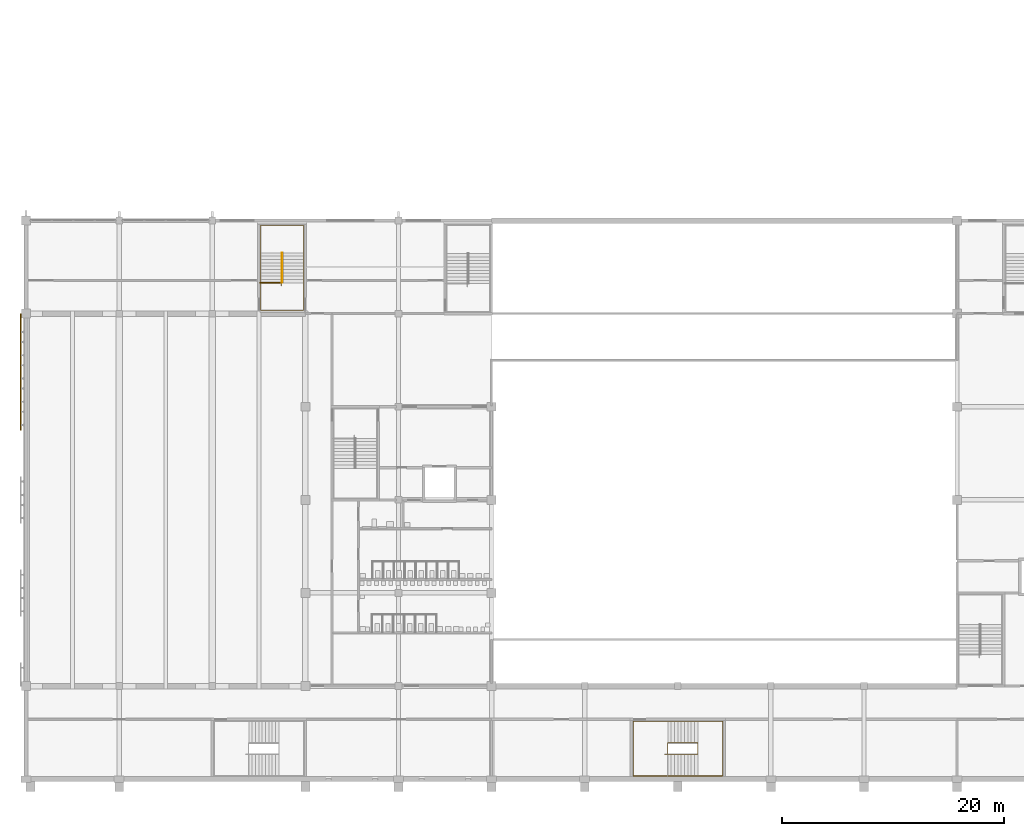
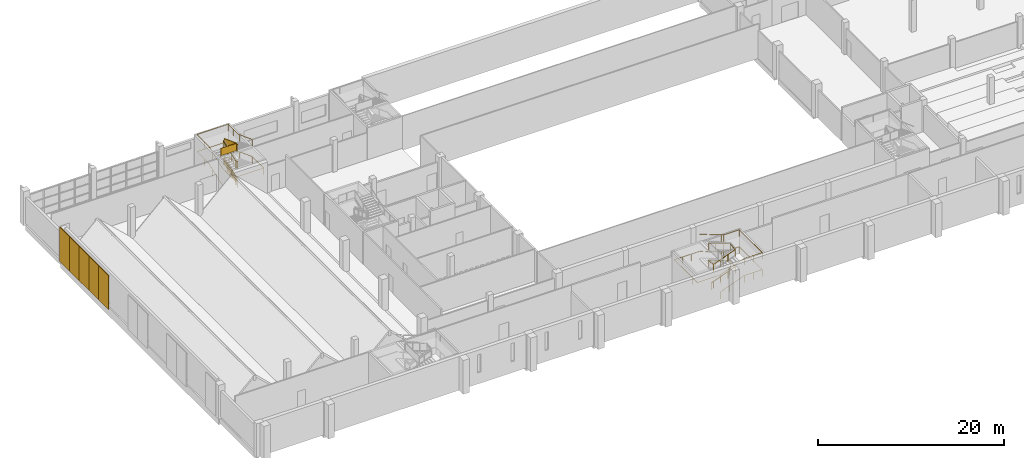
# One storey, part 46 of 56: 6 railings, 5 shading devices.
"""IFC4 building model written with IfcOpenShell, lengths in metres."""

from ifc_helpers import new_model, si_unit, direction, frame, origin, origin_2d, place, context, subcontext, project, spatial, polyline, rectangle, circle, outline, extrude, material, layer, layer_set, type_object, element, save


model = new_model("IFC4")

# Units and contexts
model_context = context("Model", 3, precision=1e-05, world=origin(), true_north=direction((0.0, 1.0)))
body_context = subcontext(model_context, "Body", "Model", "MODEL_VIEW")
ifc_project = project(units=[si_unit("LENGTHUNIT", "METRE"), si_unit("AREAUNIT", "SQUARE_METRE"), si_unit("VOLUMEUNIT", "CUBIC_METRE"), si_unit("PLANEANGLEUNIT", "RADIAN"), si_unit("MASSUNIT", "GRAM", prefix="KILO")], contexts=[model_context])

# Site, building, storey
site_placement = place(None, origin())
site = spatial("IfcSite", under=ifc_project, at=site_placement, CompositionType="ELEMENT")
building_placement = place(site_placement, origin())
building = spatial("IfcBuilding", under=site, at=building_placement, Name="Rulbaag Community and Learning Centre", CompositionType="ELEMENT")
storey_placement = place(building_placement, frame((0.0, 0.0, 9.89990234375)))
storey = spatial("IfcBuildingStorey", under=building, at=storey_placement, Name="L02", CompositionType="ELEMENT", Elevation=9.89990234375)

# Railings
ifc_material_1 = material(Name="Galvanised mild steel", Category="steel")
railing_type_1 = type_object("IfcRailingType", Name="GR-1100 GUARD 1100", PredefinedType="GUARDRAIL", material=ifc_material_1)
railing_1_placement = place(storey_placement, frame((23.080078125, 44.78759765625, 0.112548828125)))
element("IfcRailing", 1, at=railing_1_placement, inside=storey, type_object=railing_type_1, Name="Guard SH0 L02 G", PredefinedType="GUARDRAIL", context=body_context, shape_type="SweptSolid", body=[
    extrude(circle(Radius=0.02490234375, at=origin_2d()), frame((0.0, 0.0, 1.0751953125), z_axis=(0.0, 0.93633265699, 0.351114162993), x_axis=(-1.0, 0.0, 0.0)), (0.0, 0.0, 1.0), 2.883544921875),
    extrude(circle(Radius=0.02001953125, at=origin_2d()), origin(), (0.0, 0.0, 1.0), 1.050048828125),
    extrude(circle(Radius=0.02001953125, at=origin_2d()), frame((0.0, 0.89990234375, 0.33740234375)), (0.0, 0.0, 1.0), 1.050048828125),
    extrude(circle(Radius=0.02001953125, at=origin_2d()), frame((0.0, 1.800048828125, 0.675048828125)), (0.0, 0.0, 1.0), 1.050048828125),
    extrude(circle(Radius=0.02001953125, at=origin_2d()), frame((0.0, 2.699951171875, 1.012451171875)), (0.0, 0.0, 1.0), 1.050048828125),
    extrude(outline(polyline([(0.0, 0.0), (2.699951171875, 1.012451171875), (2.699951171875, 1.96240234375), (0.0, 0.949951171875), (0.0, 0.0)])), frame((-0.0048828125, 0.0, 0.10009765625), z_axis=(1.0, 0.0, 0.0), x_axis=(0.0, 1.0, 0.0)), (0.0, 0.0, 1.0), 0.010009765625),
])
railing_2_placement = place(storey_placement, frame((23.1201171875, 47.487548828125, 3.487548828125)))
element("IfcRailing", 2, at=railing_2_placement, inside=storey, type_object=railing_type_1, Name="Guard SH0 L02 G4", PredefinedType="GUARDRAIL", context=body_context, shape_type="SweptSolid", body=[
    extrude(circle(Radius=0.02490234375, at=origin_2d()), frame((0.0, 0.0, 1.0751953125), z_axis=(0.0, -0.93633265699, 0.351114162993), x_axis=(1.0, 0.0, 0.0)), (0.0, 0.0, 1.0), 2.883544921875),
    extrude(circle(Radius=0.02490234375, at=origin_2d()), frame((0.0, -2.699951171875, 2.08740234375), z_axis=(-1.0, 0.0, 0.0), x_axis=(0.0, -1.0, 0.0)), (0.0, 0.0, 1.0), 2.02001953125),
    extrude(circle(Radius=0.02001953125, at=origin_2d()), origin(), (0.0, 0.0, 1.0), 1.050048828125),
    extrude(circle(Radius=0.02001953125, at=origin_2d()), frame((0.0, -0.89990234375, 0.33740234375)), (0.0, 0.0, 1.0), 1.050048828125),
    extrude(circle(Radius=0.02001953125, at=origin_2d()), frame((0.0, -1.800048828125, 0.675048828125)), (0.0, 0.0, 1.0), 1.050048828125),
    extrude(circle(Radius=0.02001953125, at=origin_2d()), frame((0.0, -2.699951171875, 1.012451171875)), (0.0, 0.0, 1.0), 1.050048828125),
    extrude(circle(Radius=0.02001953125, at=origin_2d()), frame((-1.010009765625, -2.699951171875, 1.012451171875)), (0.0, 0.0, 1.0), 1.050048828125),
    extrude(circle(Radius=0.02001953125, at=origin_2d()), frame((-2.02001953125, -2.699951171875, 1.012451171875)), (0.0, 0.0, 1.0), 1.050048828125),
    extrude(outline(polyline([(0.0, 0.0), (2.699951171875, 1.012451171875), (2.699951171875, 1.96240234375), (0.0, 0.949951171875), (0.0, 0.0)])), frame((0.0048828125, 0.0, 0.10009765625), z_axis=(-1.0, 0.0, 0.0), x_axis=(0.0, -1.0, 0.0)), (0.0, 0.0, 1.0), 0.010009765625),
    extrude(outline(polyline([(0.0, 0.0), (2.02001953125, 0.0), (2.02001953125, 0.949951171875), (0.0, 0.949951171875), (0.0, 0.0)])), frame((0.0, -2.705078125, 1.112548828125), z_axis=(0.0, 1.0, 0.0), x_axis=(-1.0, 0.0, 0.0)), (0.0, 0.0, 1.0), 0.010009765625),
])
ifc_material_2 = material(Name="Stainless steel grade 316", Category="steel")
railing_type_2 = type_object("IfcRailingType", Name="HR-900 HANDRAIL 900", PredefinedType="HANDRAIL", material=ifc_material_2)
railing_3_placement = place(storey_placement, frame((21.159912109375, 44.487548828125, 0.0)))
element("IfcRailing", 3, at=railing_3_placement, inside=storey, type_object=railing_type_2, Name="Handrail SH0 L02 O", PredefinedType="HANDRAIL", context=body_context, shape_type="SweptSolid", body=[
    extrude(circle(Radius=0.024169921875, at=origin_2d()), frame((0.0, 0.0, 0.875732421875), z_axis=(0.0, 0.936297865471, 0.351206929196), x_axis=(-1.0, 0.0, 0.0)), (0.0, 0.0, 1.0), 0.320556640625),
    extrude(circle(Radius=0.024169921875, at=origin_2d()), frame((0.0, 0.300048828125, 0.98828125), z_axis=(0.0, 0.93633265699, 0.351114162993), x_axis=(-1.0, 0.0, 0.0)), (0.0, 0.0, 1.0), 2.883544921875),
    extrude(circle(Radius=0.024169921875, at=origin_2d()), frame((0.0, 3.0, 2.000732421875), z_axis=(0.0, 1.0, 0.0), x_axis=(-1.0, 0.0, 0.0)), (0.0, 0.0, 1.0), 2.4775390625),
    extrude(circle(Radius=0.024169921875, at=origin_2d()), frame((0.0, 5.4775390625, 2.000732421875), z_axis=(1.0, 0.0, 0.0), x_axis=(0.0, 1.0, 0.0)), (0.0, 0.0, 1.0), 3.880126953125),
    extrude(circle(Radius=0.024169921875, at=origin_2d()), frame((3.880126953125, 5.4775390625, 2.000732421875), z_axis=(0.0, -1.0, 0.0), x_axis=(1.0, 0.0, 0.0)), (0.0, 0.0, 1.0), 2.177490234375),
    extrude(circle(Radius=0.024169921875, at=origin_2d()), frame((3.880126953125, 3.300048828125, 2.000732421875), z_axis=(0.0, -0.936297865471, 0.351206929196), x_axis=(1.0, 0.0, 0.0)), (0.0, 0.0, 1.0), 0.320556640625),
    extrude(circle(Radius=0.024169921875, at=origin_2d()), frame((3.880126953125, 3.0, 2.11328125), z_axis=(0.0, -0.93633265699, 0.351114162993), x_axis=(1.0, 0.0, 0.0)), (0.0, 0.0, 1.0), 2.883544921875),
    extrude(circle(Radius=0.024169921875, at=origin_2d()), frame((3.880126953125, 0.300048828125, 3.125732421875), z_axis=(0.0, -1.0, 0.0), x_axis=(1.0, 0.0, 0.0)), (0.0, 0.0, 1.0), 2.4775390625),
    extrude(circle(Radius=0.024169921875, at=origin_2d()), frame((3.880126953125, -2.177490234375, 3.125732421875), z_axis=(-1.0, 0.0, 0.0), x_axis=(0.0, -1.0, 0.0)), (0.0, 0.0, 1.0), 3.880126953125),
    extrude(circle(Radius=0.024169921875, at=origin_2d()), frame((0.0, -2.177490234375, 3.125732421875), z_axis=(0.0, 1.0, 0.0), x_axis=(-1.0, 0.0, 0.0)), (0.0, 0.0, 1.0), 2.177490234375),
    extrude(circle(Radius=0.024169921875, at=origin_2d()), frame((0.0, 0.0, 3.125732421875), z_axis=(0.0, 0.936297865471, 0.351206929196), x_axis=(-1.0, 0.0, 0.0)), (0.0, 0.0, 1.0), 0.320556640625),
    extrude(circle(Radius=0.024169921875, at=origin_2d()), frame((0.0, 0.300048828125, 3.23828125), z_axis=(0.0, 0.93633265699, 0.351114162993), x_axis=(-1.0, 0.0, 0.0)), (0.0, 0.0, 1.0), 2.883544921875),
    extrude(circle(Radius=0.024169921875, at=origin_2d()), frame((0.0, 3.0, 4.250732421875), z_axis=(0.0, 1.0, 0.0), x_axis=(-1.0, 0.0, 0.0)), (0.0, 0.0, 1.0), 2.4775390625),
    extrude(circle(Radius=0.024169921875, at=origin_2d()), frame((0.0, 5.4775390625, 4.250732421875), z_axis=(1.0, 0.0, 0.0), x_axis=(0.0, 1.0, 0.0)), (0.0, 0.0, 1.0), 3.880126953125),
    extrude(circle(Radius=0.024169921875, at=origin_2d()), frame((3.880126953125, 5.4775390625, 4.250732421875), z_axis=(0.0, -1.0, 0.0), x_axis=(1.0, 0.0, 0.0)), (0.0, 0.0, 1.0), 2.177490234375),
    extrude(circle(Radius=0.024169921875, at=origin_2d()), frame((3.880126953125, 3.300048828125, 4.250732421875), z_axis=(0.0, -0.936297865471, 0.351206929196), x_axis=(1.0, 0.0, 0.0)), (0.0, 0.0, 1.0), 0.320556640625),
    extrude(circle(Radius=0.024169921875, at=origin_2d()), frame((3.880126953125, 3.0, 4.36328125), z_axis=(0.0, -0.93633265699, 0.351114162993), x_axis=(1.0, 0.0, 0.0)), (0.0, 0.0, 1.0), 2.883544921875),
    extrude(circle(Radius=0.008056640625, at=origin_2d()), origin(), (0.0, 0.0, 1.0), 0.8515625),
    extrude(circle(Radius=0.008056640625, at=origin_2d()), frame((0.0, 0.300048828125, 0.112548828125)), (0.0, 0.0, 1.0), 0.8515625),
    extrude(circle(Radius=0.008056640625, at=origin_2d()), frame((0.0, 1.199951171875, 0.449951171875)), (0.0, 0.0, 1.0), 0.8515625),
    extrude(circle(Radius=0.008056640625, at=origin_2d()), frame((0.0, 2.10009765625, 0.78759765625)), (0.0, 0.0, 1.0), 0.8515625),
    extrude(circle(Radius=0.008056640625, at=origin_2d()), frame((0.0, 3.0, 1.125)), (0.0, 0.0, 1.0), 0.8515625),
    extrude(circle(Radius=0.008056640625, at=origin_2d()), frame((0.0, 3.825927734375, 1.125)), (0.0, 0.0, 1.0), 0.8515625),
    extrude(circle(Radius=0.008056640625, at=origin_2d()), frame((0.0, 4.651611328125, 1.125)), (0.0, 0.0, 1.0), 0.8515625),
    extrude(circle(Radius=0.008056640625, at=origin_2d()), frame((0.0, 5.4775390625, 1.125)), (0.0, 0.0, 1.0), 0.8515625),
    extrude(circle(Radius=0.008056640625, at=origin_2d()), frame((0.969970703125, 5.4775390625, 1.125)), (0.0, 0.0, 1.0), 0.8515625),
    extrude(circle(Radius=0.008056640625, at=origin_2d()), frame((1.93994140625, 5.4775390625, 1.125)), (0.0, 0.0, 1.0), 0.8515625),
    extrude(circle(Radius=0.008056640625, at=origin_2d()), frame((2.91015625, 5.4775390625, 1.125)), (0.0, 0.0, 1.0), 0.8515625),
    extrude(circle(Radius=0.008056640625, at=origin_2d()), frame((3.880126953125, 5.4775390625, 1.125)), (0.0, 0.0, 1.0), 0.8515625),
    extrude(circle(Radius=0.008056640625, at=origin_2d()), frame((3.880126953125, 4.388671875, 1.125)), (0.0, 0.0, 1.0), 0.8515625),
    extrude(circle(Radius=0.008056640625, at=origin_2d()), frame((3.880126953125, 3.300048828125, 1.125)), (0.0, 0.0, 1.0), 0.8515625),
    extrude(circle(Radius=0.008056640625, at=origin_2d()), frame((3.880126953125, 3.0, 1.237548828125)), (0.0, 0.0, 1.0), 0.8515625),
    extrude(circle(Radius=0.008056640625, at=origin_2d()), frame((3.880126953125, 2.10009765625, 1.574951171875)), (0.0, 0.0, 1.0), 0.8515625),
    extrude(circle(Radius=0.008056640625, at=origin_2d()), frame((3.880126953125, 1.199951171875, 1.91259765625)), (0.0, 0.0, 1.0), 0.8515625),
    extrude(circle(Radius=0.008056640625, at=origin_2d()), frame((3.880126953125, 0.300048828125, 2.25)), (0.0, 0.0, 1.0), 0.8515625),
    extrude(circle(Radius=0.008056640625, at=origin_2d()), frame((3.880126953125, -0.52587890625, 2.25)), (0.0, 0.0, 1.0), 0.8515625),
    extrude(circle(Radius=0.008056640625, at=origin_2d()), frame((3.880126953125, -1.3515625, 2.25)), (0.0, 0.0, 1.0), 0.8515625),
    extrude(circle(Radius=0.008056640625, at=origin_2d()), frame((3.880126953125, -2.177490234375, 2.25)), (0.0, 0.0, 1.0), 0.8515625),
    extrude(circle(Radius=0.008056640625, at=origin_2d()), frame((2.91015625, -2.177490234375, 2.25)), (0.0, 0.0, 1.0), 0.8515625),
    extrude(circle(Radius=0.008056640625, at=origin_2d()), frame((1.93994140625, -2.177490234375, 2.25)), (0.0, 0.0, 1.0), 0.8515625),
    extrude(circle(Radius=0.008056640625, at=origin_2d()), frame((0.969970703125, -2.177490234375, 2.25)), (0.0, 0.0, 1.0), 0.8515625),
    extrude(circle(Radius=0.008056640625, at=origin_2d()), frame((0.0, -2.177490234375, 2.25)), (0.0, 0.0, 1.0), 0.8515625),
    extrude(circle(Radius=0.008056640625, at=origin_2d()), frame((0.0, -1.0888671875, 2.25)), (0.0, 0.0, 1.0), 0.8515625),
    extrude(circle(Radius=0.008056640625, at=origin_2d()), frame((0.0, 0.0, 2.25)), (0.0, 0.0, 1.0), 0.8515625),
    extrude(circle(Radius=0.008056640625, at=origin_2d()), frame((0.0, 0.300048828125, 2.362548828125)), (0.0, 0.0, 1.0), 0.8515625),
    extrude(circle(Radius=0.008056640625, at=origin_2d()), frame((0.0, 1.199951171875, 2.699951171875)), (0.0, 0.0, 1.0), 0.8515625),
    extrude(circle(Radius=0.008056640625, at=origin_2d()), frame((0.0, 2.10009765625, 3.03759765625)), (0.0, 0.0, 1.0), 0.8515625),
    extrude(circle(Radius=0.008056640625, at=origin_2d()), frame((0.0, 3.0, 3.375)), (0.0, 0.0, 1.0), 0.8515625),
    extrude(circle(Radius=0.008056640625, at=origin_2d()), frame((0.0, 3.825927734375, 3.375)), (0.0, 0.0, 1.0), 0.8515625),
    extrude(circle(Radius=0.008056640625, at=origin_2d()), frame((0.0, 4.651611328125, 3.375)), (0.0, 0.0, 1.0), 0.8515625),
    extrude(circle(Radius=0.008056640625, at=origin_2d()), frame((0.0, 5.4775390625, 3.375)), (0.0, 0.0, 1.0), 0.8515625),
    extrude(circle(Radius=0.008056640625, at=origin_2d()), frame((0.969970703125, 5.4775390625, 3.375)), (0.0, 0.0, 1.0), 0.8515625),
    extrude(circle(Radius=0.008056640625, at=origin_2d()), frame((1.93994140625, 5.4775390625, 3.375)), (0.0, 0.0, 1.0), 0.8515625),
    extrude(circle(Radius=0.008056640625, at=origin_2d()), frame((2.91015625, 5.4775390625, 3.375)), (0.0, 0.0, 1.0), 0.8515625),
    extrude(circle(Radius=0.008056640625, at=origin_2d()), frame((3.880126953125, 5.4775390625, 3.375)), (0.0, 0.0, 1.0), 0.8515625),
    extrude(circle(Radius=0.008056640625, at=origin_2d()), frame((3.880126953125, 4.388671875, 3.375)), (0.0, 0.0, 1.0), 0.8515625),
    extrude(circle(Radius=0.008056640625, at=origin_2d()), frame((3.880126953125, 3.300048828125, 3.375)), (0.0, 0.0, 1.0), 0.8515625),
    extrude(circle(Radius=0.008056640625, at=origin_2d()), frame((3.880126953125, 3.0, 3.487548828125)), (0.0, 0.0, 1.0), 0.8515625),
    extrude(circle(Radius=0.008056640625, at=origin_2d()), frame((3.880126953125, 2.10009765625, 3.824951171875)), (0.0, 0.0, 1.0), 0.8515625),
    extrude(circle(Radius=0.008056640625, at=origin_2d()), frame((3.880126953125, 1.199951171875, 4.16259765625)), (0.0, 0.0, 1.0), 0.8515625),
    extrude(circle(Radius=0.008056640625, at=origin_2d()), frame((3.880126953125, 0.300048828125, 4.5)), (0.0, 0.0, 1.0), 0.8515625),
])
railing_4_placement = place(storey_placement, frame((23.010009765625, 44.487548828125, 0.0)))
element("IfcRailing", 4, at=railing_4_placement, inside=storey, type_object=railing_type_2, Name="Handrail SH0 L02 I", PredefinedType="HANDRAIL", context=body_context, shape_type="SweptSolid", body=[
    extrude(circle(Radius=0.024169921875, at=origin_2d()), frame((0.0, 0.0, 0.875732421875), z_axis=(0.0, 0.936297865471, 0.351206929196), x_axis=(-1.0, 0.0, 0.0)), (0.0, 0.0, 1.0), 0.320556640625),
    extrude(circle(Radius=0.024169921875, at=origin_2d()), frame((0.0, 0.300048828125, 0.98828125), z_axis=(0.0, 0.93633265699, 0.351114162993), x_axis=(-1.0, 0.0, 0.0)), (0.0, 0.0, 1.0), 2.883544921875),
    extrude(circle(Radius=0.024169921875, at=origin_2d()), frame((0.0, 3.0, 2.000732421875), z_axis=(0.847804368873, 0.0, 0.530309109973), x_axis=(0.0, 1.0, 0.0)), (0.0, 0.0, 1.0), 0.212158203125),
    extrude(circle(Radius=0.024169921875, at=origin_2d()), frame((0.179931640625, 3.0, 2.11328125), z_axis=(0.0, -0.93633265699, 0.351114162993), x_axis=(1.0, 0.0, 0.0)), (0.0, 0.0, 1.0), 2.883544921875),
    extrude(circle(Radius=0.024169921875, at=origin_2d()), frame((0.179931640625, 0.300048828125, 3.125732421875), z_axis=(-0.847804368873, 0.0, 0.530309109973), x_axis=(0.0, -1.0, 0.0)), (0.0, 0.0, 1.0), 0.212158203125),
    extrude(circle(Radius=0.024169921875, at=origin_2d()), frame((0.0, 0.300048828125, 3.23828125), z_axis=(0.0, 0.93633265699, 0.351114162993), x_axis=(-1.0, 0.0, 0.0)), (0.0, 0.0, 1.0), 2.883544921875),
    extrude(circle(Radius=0.024169921875, at=origin_2d()), frame((0.0, 3.0, 4.250732421875), z_axis=(0.847804368873, 0.0, 0.530309109973), x_axis=(0.0, 1.0, 0.0)), (0.0, 0.0, 1.0), 0.212158203125),
    extrude(circle(Radius=0.024169921875, at=origin_2d()), frame((0.179931640625, 3.0, 4.36328125), z_axis=(0.0, -0.93633265699, 0.351114162993), x_axis=(1.0, 0.0, 0.0)), (0.0, 0.0, 1.0), 2.883544921875),
    extrude(circle(Radius=0.008056640625, at=origin_2d()), origin(), (0.0, 0.0, 1.0), 0.8515625),
    extrude(circle(Radius=0.008056640625, at=origin_2d()), frame((0.0, 0.300048828125, 0.112548828125)), (0.0, 0.0, 1.0), 0.8515625),
    extrude(circle(Radius=0.008056640625, at=origin_2d()), frame((0.0, 1.199951171875, 0.449951171875)), (0.0, 0.0, 1.0), 0.8515625),
    extrude(circle(Radius=0.008056640625, at=origin_2d()), frame((0.0, 2.10009765625, 0.78759765625)), (0.0, 0.0, 1.0), 0.8515625),
    extrude(circle(Radius=0.008056640625, at=origin_2d()), frame((0.0, 3.0, 1.125)), (0.0, 0.0, 1.0), 0.8515625),
    extrude(circle(Radius=0.008056640625, at=origin_2d()), frame((0.179931640625, 3.0, 1.237548828125)), (0.0, 0.0, 1.0), 0.8515625),
    extrude(circle(Radius=0.008056640625, at=origin_2d()), frame((0.179931640625, 2.10009765625, 1.574951171875)), (0.0, 0.0, 1.0), 0.8515625),
    extrude(circle(Radius=0.008056640625, at=origin_2d()), frame((0.179931640625, 1.199951171875, 1.91259765625)), (0.0, 0.0, 1.0), 0.8515625),
    extrude(circle(Radius=0.008056640625, at=origin_2d()), frame((0.179931640625, 0.300048828125, 2.25)), (0.0, 0.0, 1.0), 0.8515625),
    extrude(circle(Radius=0.008056640625, at=origin_2d()), frame((0.0, 0.300048828125, 2.362548828125)), (0.0, 0.0, 1.0), 0.8515625),
    extrude(circle(Radius=0.008056640625, at=origin_2d()), frame((0.0, 1.199951171875, 2.699951171875)), (0.0, 0.0, 1.0), 0.8515625),
    extrude(circle(Radius=0.008056640625, at=origin_2d()), frame((0.0, 2.10009765625, 3.03759765625)), (0.0, 0.0, 1.0), 0.8515625),
    extrude(circle(Radius=0.008056640625, at=origin_2d()), frame((0.0, 3.0, 3.375)), (0.0, 0.0, 1.0), 0.8515625),
    extrude(circle(Radius=0.008056640625, at=origin_2d()), frame((0.179931640625, 3.0, 3.487548828125)), (0.0, 0.0, 1.0), 0.8515625),
    extrude(circle(Radius=0.008056640625, at=origin_2d()), frame((0.179931640625, 2.10009765625, 3.824951171875)), (0.0, 0.0, 1.0), 0.8515625),
    extrude(circle(Radius=0.008056640625, at=origin_2d()), frame((0.179931640625, 1.199951171875, 4.16259765625)), (0.0, 0.0, 1.0), 0.8515625),
    extrude(circle(Radius=0.008056640625, at=origin_2d()), frame((0.179931640625, 0.300048828125, 4.5)), (0.0, 0.0, 1.0), 0.8515625),
])
railing_5_placement = place(storey_placement, frame((57.60009765625, 0.284912109375, 0.0)))
element("IfcRailing", 5, at=railing_5_placement, inside=storey, type_object=railing_type_2, Name="Handrail SH8 L02 O", PredefinedType="HANDRAIL", context=body_context, shape_type="SweptSolid", body=[
    extrude(circle(Radius=0.024169921875, at=origin_2d()), frame((0.0, 0.0, 0.875732421875), z_axis=(0.936203795034, 0.0, 0.351457613608), x_axis=(0.0, 1.0, 0.0)), (0.0, 0.0, 1.0), 0.3203125),
    extrude(circle(Radius=0.024169921875, at=origin_2d()), frame((0.2998046875, 0.0, 0.98828125), z_axis=(0.936343093598, 0.0, 0.351086329941), x_axis=(0.0, 1.0, 0.0)), (0.0, 0.0, 1.0), 2.8837890625),
    extrude(circle(Radius=0.024169921875, at=origin_2d()), frame((3.0, 0.0, 2.000732421875), z_axis=(1.0, 0.0, 0.0), x_axis=(0.0, 1.0, 0.0)), (0.0, 0.0, 1.0), 2.239990234375),
    extrude(circle(Radius=0.024169921875, at=origin_2d()), frame((5.239990234375, 0.0, 2.000732421875), z_axis=(0.0, 1.0, 0.0), x_axis=(-1.0, 0.0, 0.0)), (0.0, 0.0, 1.0), 4.955078125),
    extrude(circle(Radius=0.024169921875, at=origin_2d()), frame((5.239990234375, 4.955078125, 2.000732421875), z_axis=(-1.0, 0.0, 0.0), x_axis=(0.0, -1.0, 0.0)), (0.0, 0.0, 1.0), 1.940185546875),
    extrude(circle(Radius=0.024169921875, at=origin_2d()), frame((3.2998046875, 4.955078125, 2.000732421875), z_axis=(-0.936203795034, 0.0, 0.351457613608), x_axis=(0.0, -1.0, 0.0)), (0.0, 0.0, 1.0), 0.3203125),
    extrude(circle(Radius=0.024169921875, at=origin_2d()), frame((3.0, 4.955078125, 2.11328125), z_axis=(-0.936343093598, 0.0, 0.351086329941), x_axis=(0.0, -1.0, 0.0)), (0.0, 0.0, 1.0), 2.8837890625),
    extrude(circle(Radius=0.024169921875, at=origin_2d()), frame((0.2998046875, 4.955078125, 3.125732421875), z_axis=(-1.0, 0.0, 0.0), x_axis=(0.0, -1.0, 0.0)), (0.0, 0.0, 1.0), 3.139892578125),
    extrude(circle(Radius=0.024169921875, at=origin_2d()), frame((-2.840087890625, 4.955078125, 3.125732421875), z_axis=(0.0, -1.0, 0.0), x_axis=(1.0, 0.0, 0.0)), (0.0, 0.0, 1.0), 4.955078125),
    extrude(circle(Radius=0.024169921875, at=origin_2d()), frame((-2.840087890625, 0.0, 3.125732421875), z_axis=(1.0, 0.0, 0.0), x_axis=(0.0, 1.0, 0.0)), (0.0, 0.0, 1.0), 2.840087890625),
    extrude(circle(Radius=0.024169921875, at=origin_2d()), frame((0.0, 0.0, 3.125732421875), z_axis=(0.936203795034, 0.0, 0.351457613608), x_axis=(0.0, 1.0, 0.0)), (0.0, 0.0, 1.0), 0.3203125),
    extrude(circle(Radius=0.024169921875, at=origin_2d()), frame((0.2998046875, 0.0, 3.23828125), z_axis=(0.936343093598, 0.0, 0.351086329941), x_axis=(0.0, 1.0, 0.0)), (0.0, 0.0, 1.0), 2.8837890625),
    extrude(circle(Radius=0.024169921875, at=origin_2d()), frame((3.0, 0.0, 4.250732421875), z_axis=(1.0, 0.0, 0.0), x_axis=(0.0, 1.0, 0.0)), (0.0, 0.0, 1.0), 2.239990234375),
    extrude(circle(Radius=0.024169921875, at=origin_2d()), frame((5.239990234375, 0.0, 4.250732421875), z_axis=(0.0, 1.0, 0.0), x_axis=(-1.0, 0.0, 0.0)), (0.0, 0.0, 1.0), 4.955078125),
    extrude(circle(Radius=0.024169921875, at=origin_2d()), frame((5.239990234375, 4.955078125, 4.250732421875), z_axis=(-1.0, 0.0, 0.0), x_axis=(0.0, -1.0, 0.0)), (0.0, 0.0, 1.0), 1.940185546875),
    extrude(circle(Radius=0.024169921875, at=origin_2d()), frame((3.2998046875, 4.955078125, 4.250732421875), z_axis=(-0.936203795034, 0.0, 0.351457613608), x_axis=(0.0, -1.0, 0.0)), (0.0, 0.0, 1.0), 0.3203125),
    extrude(circle(Radius=0.024169921875, at=origin_2d()), frame((3.0, 4.955078125, 4.36328125), z_axis=(-0.936343093598, 0.0, 0.351086329941), x_axis=(0.0, -1.0, 0.0)), (0.0, 0.0, 1.0), 2.8837890625),
    extrude(circle(Radius=0.008056640625, at=origin_2d()), origin(), (0.0, 0.0, 1.0), 0.8515625),
    extrude(circle(Radius=0.008056640625, at=origin_2d()), frame((0.2998046875, 0.0, 0.112548828125)), (0.0, 0.0, 1.0), 0.8515625),
    extrude(circle(Radius=0.008056640625, at=origin_2d()), frame((1.199951171875, 0.0, 0.449951171875)), (0.0, 0.0, 1.0), 0.8515625),
    extrude(circle(Radius=0.008056640625, at=origin_2d()), frame((2.099853515625, 0.0, 0.78759765625)), (0.0, 0.0, 1.0), 0.8515625),
    extrude(circle(Radius=0.008056640625, at=origin_2d()), frame((3.0, 0.0, 1.125)), (0.0, 0.0, 1.0), 0.8515625),
    extrude(circle(Radius=0.008056640625, at=origin_2d()), frame((4.1201171875, 0.0, 1.125)), (0.0, 0.0, 1.0), 0.8515625),
    extrude(circle(Radius=0.008056640625, at=origin_2d()), frame((5.239990234375, 0.0, 1.125)), (0.0, 0.0, 1.0), 0.8515625),
    extrude(circle(Radius=0.008056640625, at=origin_2d()), frame((5.239990234375, 0.990966796875, 1.125)), (0.0, 0.0, 1.0), 0.8515625),
    extrude(circle(Radius=0.008056640625, at=origin_2d()), frame((5.239990234375, 1.98193359375, 1.125)), (0.0, 0.0, 1.0), 0.8515625),
    extrude(circle(Radius=0.008056640625, at=origin_2d()), frame((5.239990234375, 2.97314453125, 1.125)), (0.0, 0.0, 1.0), 0.8515625),
    extrude(circle(Radius=0.008056640625, at=origin_2d()), frame((5.239990234375, 3.964111328125, 1.125)), (0.0, 0.0, 1.0), 0.8515625),
    extrude(circle(Radius=0.008056640625, at=origin_2d()), frame((5.239990234375, 4.955078125, 1.125)), (0.0, 0.0, 1.0), 0.8515625),
    extrude(circle(Radius=0.008056640625, at=origin_2d()), frame((4.27001953125, 4.955078125, 1.125)), (0.0, 0.0, 1.0), 0.8515625),
    extrude(circle(Radius=0.008056640625, at=origin_2d()), frame((3.2998046875, 4.955078125, 1.125)), (0.0, 0.0, 1.0), 0.8515625),
    extrude(circle(Radius=0.008056640625, at=origin_2d()), frame((3.0, 4.955078125, 1.237548828125)), (0.0, 0.0, 1.0), 0.8515625),
    extrude(circle(Radius=0.008056640625, at=origin_2d()), frame((2.099853515625, 4.955078125, 1.574951171875)), (0.0, 0.0, 1.0), 0.8515625),
    extrude(circle(Radius=0.008056640625, at=origin_2d()), frame((1.199951171875, 4.955078125, 1.91259765625)), (0.0, 0.0, 1.0), 0.8515625),
    extrude(circle(Radius=0.008056640625, at=origin_2d()), frame((0.2998046875, 4.955078125, 2.25)), (0.0, 0.0, 1.0), 0.8515625),
    extrude(circle(Radius=0.008056640625, at=origin_2d()), frame((-0.746826171875, 4.955078125, 2.25)), (0.0, 0.0, 1.0), 0.8515625),
    extrude(circle(Radius=0.008056640625, at=origin_2d()), frame((-1.79345703125, 4.955078125, 2.25)), (0.0, 0.0, 1.0), 0.8515625),
    extrude(circle(Radius=0.008056640625, at=origin_2d()), frame((-2.840087890625, 4.955078125, 2.25)), (0.0, 0.0, 1.0), 0.8515625),
    extrude(circle(Radius=0.008056640625, at=origin_2d()), frame((-2.840087890625, 3.964111328125, 2.25)), (0.0, 0.0, 1.0), 0.8515625),
    extrude(circle(Radius=0.008056640625, at=origin_2d()), frame((-2.840087890625, 2.97314453125, 2.25)), (0.0, 0.0, 1.0), 0.8515625),
    extrude(circle(Radius=0.008056640625, at=origin_2d()), frame((-2.840087890625, 1.98193359375, 2.25)), (0.0, 0.0, 1.0), 0.8515625),
    extrude(circle(Radius=0.008056640625, at=origin_2d()), frame((-2.840087890625, 0.990966796875, 2.25)), (0.0, 0.0, 1.0), 0.8515625),
    extrude(circle(Radius=0.008056640625, at=origin_2d()), frame((-2.840087890625, 0.0, 2.25)), (0.0, 0.0, 1.0), 0.8515625),
    extrude(circle(Radius=0.008056640625, at=origin_2d()), frame((-1.893310546875, 0.0, 2.25)), (0.0, 0.0, 1.0), 0.8515625),
    extrude(circle(Radius=0.008056640625, at=origin_2d()), frame((-0.94677734375, 0.0, 2.25)), (0.0, 0.0, 1.0), 0.8515625),
    extrude(circle(Radius=0.008056640625, at=origin_2d()), frame((0.0, 0.0, 2.25)), (0.0, 0.0, 1.0), 0.8515625),
    extrude(circle(Radius=0.008056640625, at=origin_2d()), frame((0.2998046875, 0.0, 2.362548828125)), (0.0, 0.0, 1.0), 0.8515625),
    extrude(circle(Radius=0.008056640625, at=origin_2d()), frame((1.199951171875, 0.0, 2.699951171875)), (0.0, 0.0, 1.0), 0.8515625),
    extrude(circle(Radius=0.008056640625, at=origin_2d()), frame((2.099853515625, 0.0, 3.03759765625)), (0.0, 0.0, 1.0), 0.8515625),
    extrude(circle(Radius=0.008056640625, at=origin_2d()), frame((3.0, 0.0, 3.375)), (0.0, 0.0, 1.0), 0.8515625),
    extrude(circle(Radius=0.008056640625, at=origin_2d()), frame((4.1201171875, 0.0, 3.375)), (0.0, 0.0, 1.0), 0.8515625),
    extrude(circle(Radius=0.008056640625, at=origin_2d()), frame((5.239990234375, 0.0, 3.375)), (0.0, 0.0, 1.0), 0.8515625),
    extrude(circle(Radius=0.008056640625, at=origin_2d()), frame((5.239990234375, 0.990966796875, 3.375)), (0.0, 0.0, 1.0), 0.8515625),
    extrude(circle(Radius=0.008056640625, at=origin_2d()), frame((5.239990234375, 1.98193359375, 3.375)), (0.0, 0.0, 1.0), 0.8515625),
    extrude(circle(Radius=0.008056640625, at=origin_2d()), frame((5.239990234375, 2.97314453125, 3.375)), (0.0, 0.0, 1.0), 0.8515625),
    extrude(circle(Radius=0.008056640625, at=origin_2d()), frame((5.239990234375, 3.964111328125, 3.375)), (0.0, 0.0, 1.0), 0.8515625),
    extrude(circle(Radius=0.008056640625, at=origin_2d()), frame((5.239990234375, 4.955078125, 3.375)), (0.0, 0.0, 1.0), 0.8515625),
    extrude(circle(Radius=0.008056640625, at=origin_2d()), frame((4.27001953125, 4.955078125, 3.375)), (0.0, 0.0, 1.0), 0.8515625),
    extrude(circle(Radius=0.008056640625, at=origin_2d()), frame((3.2998046875, 4.955078125, 3.375)), (0.0, 0.0, 1.0), 0.8515625),
    extrude(circle(Radius=0.008056640625, at=origin_2d()), frame((3.0, 4.955078125, 3.487548828125)), (0.0, 0.0, 1.0), 0.8515625),
    extrude(circle(Radius=0.008056640625, at=origin_2d()), frame((2.099853515625, 4.955078125, 3.824951171875)), (0.0, 0.0, 1.0), 0.8515625),
    extrude(circle(Radius=0.008056640625, at=origin_2d()), frame((1.199951171875, 4.955078125, 4.16259765625)), (0.0, 0.0, 1.0), 0.8515625),
    extrude(circle(Radius=0.008056640625, at=origin_2d()), frame((0.2998046875, 4.955078125, 4.5)), (0.0, 0.0, 1.0), 0.8515625),
])
railing_6_placement = place(storey_placement, frame((57.60009765625, 2.235107421875, 0.0)))
element("IfcRailing", 6, at=railing_6_placement, inside=storey, type_object=railing_type_2, Name="Handrail SH8 L02 I", PredefinedType="HANDRAIL", context=body_context, shape_type="SweptSolid", body=[
    extrude(circle(Radius=0.024169921875, at=origin_2d()), frame((0.0, 0.0, 0.875732421875), z_axis=(0.936203795034, 0.0, 0.351457613608), x_axis=(0.0, 1.0, 0.0)), (0.0, 0.0, 1.0), 0.3203125),
    extrude(circle(Radius=0.024169921875, at=origin_2d()), frame((0.2998046875, 0.0, 0.98828125), z_axis=(0.936343093598, 0.0, 0.351086329941), x_axis=(0.0, 1.0, 0.0)), (0.0, 0.0, 1.0), 2.8837890625),
    extrude(circle(Radius=0.024169921875, at=origin_2d()), frame((3.0, 0.0, 2.000732421875), z_axis=(0.0, 0.994356935106, 0.106086217793), x_axis=(-1.0, 0.0, 0.0)), (0.0, 0.0, 1.0), 1.06103515625),
    extrude(circle(Radius=0.024169921875, at=origin_2d()), frame((3.0, 1.054931640625, 2.11328125), z_axis=(-0.936343093598, 0.0, 0.351086329941), x_axis=(0.0, -1.0, 0.0)), (0.0, 0.0, 1.0), 2.8837890625),
    extrude(circle(Radius=0.024169921875, at=origin_2d()), frame((0.2998046875, 1.054931640625, 3.125732421875), z_axis=(0.0, -0.994356935106, 0.106086217793), x_axis=(1.0, 0.0, 0.0)), (0.0, 0.0, 1.0), 1.06103515625),
    extrude(circle(Radius=0.024169921875, at=origin_2d()), frame((0.2998046875, 0.0, 3.23828125), z_axis=(0.936343093598, 0.0, 0.351086329941), x_axis=(0.0, 1.0, 0.0)), (0.0, 0.0, 1.0), 2.8837890625),
    extrude(circle(Radius=0.024169921875, at=origin_2d()), frame((3.0, 0.0, 4.250732421875), z_axis=(0.0, 0.994356935106, 0.106086217793), x_axis=(-1.0, 0.0, 0.0)), (0.0, 0.0, 1.0), 1.06103515625),
    extrude(circle(Radius=0.024169921875, at=origin_2d()), frame((3.0, 1.054931640625, 4.36328125), z_axis=(-0.936343093598, 0.0, 0.351086329941), x_axis=(0.0, -1.0, 0.0)), (0.0, 0.0, 1.0), 2.8837890625),
    extrude(circle(Radius=0.008056640625, at=origin_2d()), origin(), (0.0, 0.0, 1.0), 0.8515625),
    extrude(circle(Radius=0.008056640625, at=origin_2d()), frame((0.2998046875, 0.0, 0.112548828125)), (0.0, 0.0, 1.0), 0.8515625),
    extrude(circle(Radius=0.008056640625, at=origin_2d()), frame((1.199951171875, 0.0, 0.449951171875)), (0.0, 0.0, 1.0), 0.8515625),
    extrude(circle(Radius=0.008056640625, at=origin_2d()), frame((2.099853515625, 0.0, 0.78759765625)), (0.0, 0.0, 1.0), 0.8515625),
    extrude(circle(Radius=0.008056640625, at=origin_2d()), frame((3.0, 0.0, 1.125)), (0.0, 0.0, 1.0), 0.8515625),
    extrude(circle(Radius=0.008056640625, at=origin_2d()), frame((3.0, 1.054931640625, 1.237548828125)), (0.0, 0.0, 1.0), 0.8515625),
    extrude(circle(Radius=0.008056640625, at=origin_2d()), frame((2.099853515625, 1.054931640625, 1.574951171875)), (0.0, 0.0, 1.0), 0.8515625),
    extrude(circle(Radius=0.008056640625, at=origin_2d()), frame((1.199951171875, 1.054931640625, 1.91259765625)), (0.0, 0.0, 1.0), 0.8515625),
    extrude(circle(Radius=0.008056640625, at=origin_2d()), frame((0.2998046875, 1.054931640625, 2.25)), (0.0, 0.0, 1.0), 0.8515625),
    extrude(circle(Radius=0.008056640625, at=origin_2d()), frame((0.2998046875, 0.0, 2.362548828125)), (0.0, 0.0, 1.0), 0.8515625),
    extrude(circle(Radius=0.008056640625, at=origin_2d()), frame((1.199951171875, 0.0, 2.699951171875)), (0.0, 0.0, 1.0), 0.8515625),
    extrude(circle(Radius=0.008056640625, at=origin_2d()), frame((2.099853515625, 0.0, 3.03759765625)), (0.0, 0.0, 1.0), 0.8515625),
    extrude(circle(Radius=0.008056640625, at=origin_2d()), frame((3.0, 0.0, 3.375)), (0.0, 0.0, 1.0), 0.8515625),
    extrude(circle(Radius=0.008056640625, at=origin_2d()), frame((3.0, 1.054931640625, 3.487548828125)), (0.0, 0.0, 1.0), 0.8515625),
    extrude(circle(Radius=0.008056640625, at=origin_2d()), frame((2.099853515625, 1.054931640625, 3.824951171875)), (0.0, 0.0, 1.0), 0.8515625),
    extrude(circle(Radius=0.008056640625, at=origin_2d()), frame((1.199951171875, 1.054931640625, 4.16259765625)), (0.0, 0.0, 1.0), 0.8515625),
    extrude(circle(Radius=0.008056640625, at=origin_2d()), frame((0.2998046875, 1.054931640625, 4.5)), (0.0, 0.0, 1.0), 0.8515625),
])

# Shading devices
ifc_material_3 = material(Name="Concrete M40", Category="concrete")
ifc_layer = layer(ifc_material_3, 0.10009765625)
ifc_layer_set = layer_set([ifc_layer], Name="JS-100")
shading_device_type = type_object("IfcShadingDeviceType", Name="JS-100", PredefinedType="SHUTTER", material=ifc_layer_set)
for number, where, z_axis, x_axis, name in (
    (7, (-0.5, 32.550048828125, 0.0), (0.0, 0.0, 1.0), (1.0, 0.0, 0.0), "Jaali screen"),
    (8, (-0.5, 34.64990234375, 0.0), (0.0, 0.0, 1.0), (1.0, 0.0, 0.0), "Jaali screen"),
    (9, (-0.5, 36.75, 0.0), (0.0, 0.0, 1.0), (1.0, 0.0, 0.0), "Jaali screen"),
    (10, (-0.5, 38.85009765625, 0.0), (0.0, 0.0, 1.0), (1.0, 0.0, 0.0), "Jaali screen"),
    (11, (-0.5, 40.949951171875, 0.0), (0.0, 0.0, 1.0), (1.0, 0.0, 0.0), "Jaali screen"),
):
    element("IfcShadingDevice", number, at=place(storey_placement, frame(where, z_axis=z_axis, x_axis=x_axis)), inside=storey, type_object=shading_device_type, Name=name, PredefinedType="SHUTTER", context=body_context, shape_type="SweptSolid", body=[
        extrude(rectangle(XDim=0.10009765625, YDim=2.10009765625, at=origin_2d()), origin(), (0.0, 0.0, 1.0), 4.5),
    ])

save(model, "model.ifc")
